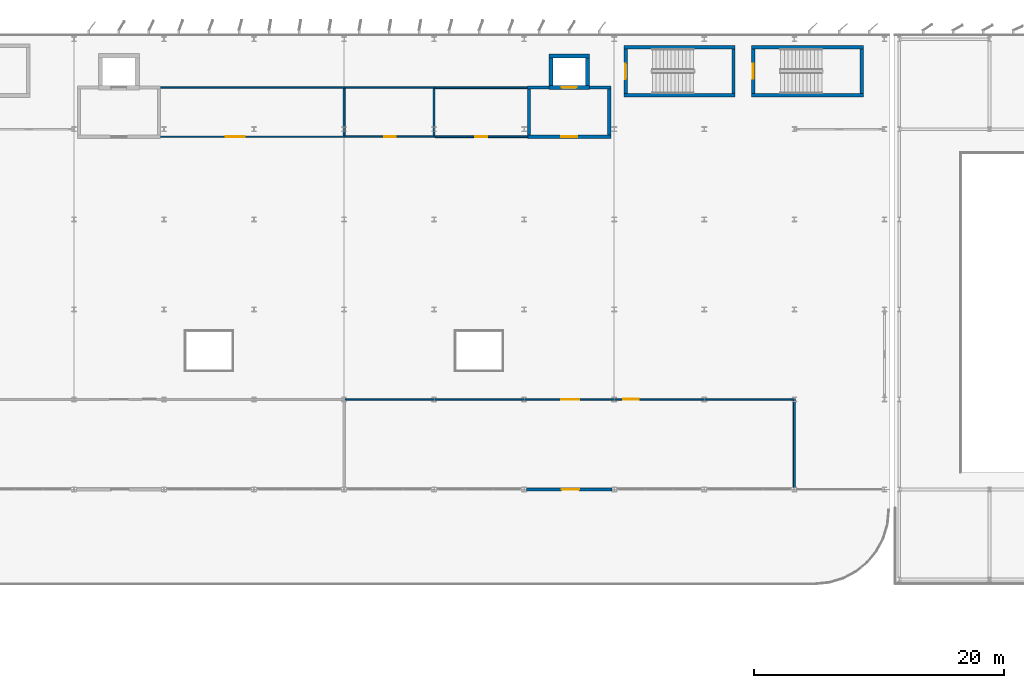
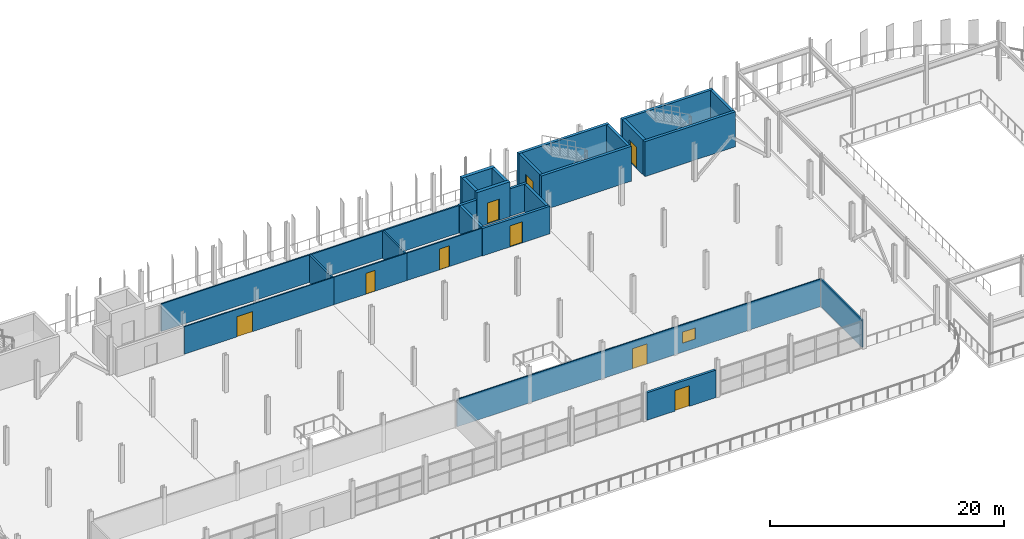
# One storey, part 28 of 40: 28 walls, 9 doors, 1 window, 10 openings.
"""IFC4 building model written with IfcOpenShell, lengths in metres."""

from ifc_helpers import new_model, si_unit, direction, frame, frame_2d, origin, place, context, subcontext, project, spatial, rectangle, extrude, material, layer, layer_set, type_object, element, fill, save


model = new_model("IFC4")

# Units and contexts
model_context = context("Model", 3, precision=1e-05, world=origin(), true_north=direction((0.0, 1.0)))
body_context = subcontext(model_context, "Body", "Model", "MODEL_VIEW")
ifc_project = project(units=[si_unit("LENGTHUNIT", "METRE"), si_unit("AREAUNIT", "SQUARE_METRE"), si_unit("VOLUMEUNIT", "CUBIC_METRE"), si_unit("PLANEANGLEUNIT", "RADIAN"), si_unit("MASSUNIT", "GRAM", prefix="KILO")], contexts=[model_context])

# Site, building, storey
site_placement = place(None, origin())
site = spatial("IfcSite", under=ifc_project, at=site_placement, CompositionType="ELEMENT")
building_placement = place(site_placement, origin())
building = spatial("IfcBuilding", under=site, at=building_placement, Name="Vaelcorin Mobility Hub", CompositionType="ELEMENT")
storey_placement = place(building_placement, frame((0.0, 0.0, 17.10009765625)))
storey = spatial("IfcBuildingStorey", under=building, at=storey_placement, Name="L04", CompositionType="ELEMENT", Elevation=17.10009765625)

# Walls
ifc_material_1 = material(Name="Reinforced concrete f'c 45 MPa", Category="concrete")
ifc_layer_1 = layer(ifc_material_1, 0.27490234375)
ifc_layer_set_1 = layer_set([ifc_layer_1], Name="Reinforced concrete f'c 45 MPa")
wall_type_1 = type_object("IfcWallType", Name="WL-CORE-275", PredefinedType="SOLIDWALL", material=ifc_layer_set_1)
for number, where, z_axis, x_axis, name in (
    (1, (110.47509765625, 115.511962890625, 0.0), (0.0, 0.0, 1.0), (-1.0, 0.0, 0.0), "ST4 Fire Core Wall L04 South"),
    (2, (101.574951171875, 119.347900390625, 0.0), (0.0, 0.0, 1.0), (1.0, 0.0, 0.0), "ST4 Fire Core Wall L04 North"),
):
    element("IfcWall", number, at=place(storey_placement, frame(where, z_axis=z_axis, x_axis=x_axis)), inside=storey, type_object=wall_type_1, Name=name, PredefinedType="SOLIDWALL", context=body_context, shape_type="SweptSolid", body=[
        extrude(rectangle(XDim=8.900146484375, YDim=0.27490234375, at=frame_2d((4.4501953125, 0.0))), origin(), (0.0, 0.0, 1.0), 3.639892578125),
    ])

# Wall, opening, door
wall_1_placement = place(storey_placement, frame((101.7119140625, 115.64990234375, 0.0), z_axis=(0.0, 0.0, 1.0), x_axis=(0.0, 1.0, 0.0)))
wall_1 = element("IfcWall", 3, at=wall_1_placement, inside=storey, type_object=wall_type_1, Name="ST4 Fire Core Wall L04 West", PredefinedType="SOLIDWALL", context=body_context, shape_type="SweptSolid", body=[
    extrude(rectangle(XDim=3.56005859375, YDim=0.27490234375, at=frame_2d((1.780029296875, 0.0))), origin(), (0.0, 0.0, 1.0), 3.639892578125),
])
opening_1_placement = place(wall_1_placement, frame((1.155029296875, 0.0, 0.0)))
opening_1 = element("IfcOpeningElement", 4, at=opening_1_placement, cuts=wall_1, Name="Opening SD02", PredefinedType="OPENING", context=body_context, shape_type="SweptSolid", body=[
    extrude(rectangle(XDim=1.25, YDim=2.199951171875, at=frame_2d((0.625, 1.10009765625))), frame((0.0, 0.1474609375, 0.0), z_axis=(0.0, -1.0, 0.0), x_axis=(1.0, 0.0, 0.0)), (0.0, 0.0, 1.0), 0.294921875),
])
ifc_material_2 = material(Name="Hollow-metal insulated steel fire door", Category="steel")
door_type_1 = type_object("IfcDoorType", Name="DR-STAIR-FF", OperationType="NOTDEFINED", PredefinedType="DOOR", material=ifc_material_2)
door_1_placement = place(opening_1_placement, origin())
door_1 = element("IfcDoor", 5, at=door_1_placement, inside=storey, type_object=door_type_1, Name="ST4 Protected Stair Door L04", OperationType="SINGLE_SWING_LEFT", OverallHeight=2.199951171875, OverallWidth=1.25, PredefinedType="DOOR", context=body_context, shape_type="SweptSolid", body=[
    extrude(rectangle(XDim=1.25, YDim=2.199951171875, at=frame_2d((0.625, 1.10009765625))), frame((0.0, 0.02490234375, 0.0), z_axis=(0.0, -1.0, 0.0), x_axis=(1.0, 0.0, 0.0)), (0.0, 0.0, 1.0), 0.050048828125),
])
fill(opening_1, door_1)

# Walls
wall_2_placement = place(storey_placement, frame((110.337890625, 119.2099609375, 0.0), z_axis=(0.0, 0.0, 1.0), x_axis=(0.0, -1.0, 0.0)))
element("IfcWall", 6, at=wall_2_placement, inside=storey, type_object=wall_type_1, Name="ST4 Fire Core Wall L04 East", PredefinedType="SOLIDWALL", context=body_context, shape_type="SweptSolid", body=[
    extrude(rectangle(XDim=3.56005859375, YDim=0.27490234375, at=frame_2d((1.780029296875, 0.0))), origin(), (0.0, 0.0, 1.0), 3.639892578125),
])
for number, where, z_axis, x_axis, name in (
    (7, (120.72509765625, 115.511962890625, 0.0), (0.0, 0.0, 1.0), (-1.0, 0.0, 0.0), "ST9 Fire Core Wall L04 South"),
    (8, (111.77490234375, 119.347900390625, 0.0), (0.0, 0.0, 1.0), (1.0, 0.0, 0.0), "ST9 Fire Core Wall L04 North"),
):
    element("IfcWall", number, at=place(storey_placement, frame(where, z_axis=z_axis, x_axis=x_axis)), inside=storey, type_object=wall_type_1, Name=name, PredefinedType="SOLIDWALL", context=body_context, shape_type="SweptSolid", body=[
        extrude(rectangle(XDim=8.9501953125, YDim=0.27490234375, at=frame_2d((4.47509765625, 0.0))), origin(), (0.0, 0.0, 1.0), 3.639892578125),
    ])

# Wall, opening, door
wall_3_placement = place(storey_placement, frame((111.912109375, 115.64990234375, 0.0), z_axis=(0.0, 0.0, 1.0), x_axis=(0.0, 1.0, 0.0)))
wall_3 = element("IfcWall", 9, at=wall_3_placement, inside=storey, type_object=wall_type_1, Name="ST9 Fire Core Wall L04 West", PredefinedType="SOLIDWALL", context=body_context, shape_type="SweptSolid", body=[
    extrude(rectangle(XDim=3.56005859375, YDim=0.27490234375, at=frame_2d((1.780029296875, 0.0))), origin(), (0.0, 0.0, 1.0), 3.639892578125),
])
opening_2_placement = place(wall_3_placement, frame((1.179931640625, 0.0, 0.0)))
opening_2 = element("IfcOpeningElement", 10, at=opening_2_placement, cuts=wall_3, Name="Opening SD01", PredefinedType="OPENING", context=body_context, shape_type="SweptSolid", body=[
    extrude(rectangle(XDim=1.199951171875, YDim=2.199951171875, at=frame_2d((0.60009765625, 1.10009765625))), frame((0.0, 0.1474609375, 0.0), z_axis=(0.0, -1.0, 0.0), x_axis=(1.0, 0.0, 0.0)), (0.0, 0.0, 1.0), 0.294921875),
])
door_type_2 = type_object("IfcDoorType", Name="DR-STAIR-90", OperationType="NOTDEFINED", PredefinedType="DOOR", material=ifc_material_2)
door_2_placement = place(opening_2_placement, origin())
door_2 = element("IfcDoor", 11, at=door_2_placement, inside=storey, type_object=door_type_2, Name="ST9 Protected Stair Door L04", OperationType="SINGLE_SWING_LEFT", OverallHeight=2.199951171875, OverallWidth=1.199951171875, PredefinedType="DOOR", context=body_context, shape_type="SweptSolid", body=[
    extrude(rectangle(XDim=1.199951171875, YDim=2.199951171875, at=frame_2d((0.60009765625, 1.10009765625))), frame((0.0, 0.02490234375, 0.0), z_axis=(0.0, -1.0, 0.0), x_axis=(1.0, 0.0, 0.0)), (0.0, 0.0, 1.0), 0.050048828125),
])
fill(opening_2, door_2)

# Wall
wall_4_placement = place(storey_placement, frame((120.587890625, 119.2099609375, 0.0), z_axis=(0.0, 0.0, 1.0), x_axis=(0.0, -1.0, 0.0)))
element("IfcWall", 12, at=wall_4_placement, inside=storey, type_object=wall_type_1, Name="ST9 Fire Core Wall L04 East", PredefinedType="SOLIDWALL", context=body_context, shape_type="SweptSolid", body=[
    extrude(rectangle(XDim=3.56005859375, YDim=0.27490234375, at=frame_2d((1.780029296875, 0.0))), origin(), (0.0, 0.0, 1.0), 3.639892578125),
])

# Wall, opening, door
ifc_material_3 = material(Name="Insulated exterior precast concrete C40/50", Category="concrete")
ifc_layer_2 = layer(ifc_material_3, 0.239990234375)
ifc_layer_set_2 = layer_set([ifc_layer_2], Name="Insulated exterior precast concrete C40/50")
wall_type_2 = type_object("IfcWallType", Name="WL-EXT-240", PredefinedType="STANDARD", material=ifc_layer_set_2)
wall_5_placement = place(storey_placement, frame((100.60791015625, 84.0, 0.0), z_axis=(0.0, 0.0, 1.0), x_axis=(-1.0, 0.0, 0.0)))
wall_5 = element("IfcWall", 13, at=wall_5_placement, inside=storey, type_object=wall_type_2, Name="L04 Exterior Wall V4-EW-L04-S-09", PredefinedType="STANDARD", context=body_context, shape_type="SweptSolid", body=[
    extrude(rectangle(XDim=6.81591796875, YDim=0.239990234375, at=frame_2d((3.407958984375, 0.0))), origin(), (0.0, 0.0, 1.0), 2.867919921875),
])
opening_3_placement = place(wall_5_placement, frame((2.617919921875, 0.0, 0.0)))
opening_3 = element("IfcOpeningElement", 14, at=opening_3_placement, cuts=wall_5, Name="Opening ED04", PredefinedType="OPENING", context=body_context, shape_type="SweptSolid", body=[
    extrude(rectangle(XDim=1.39990234375, YDim=2.14990234375, at=frame_2d((0.699951171875, 1.074951171875))), frame((0.0, 0.1298828125, 0.0), z_axis=(0.0, -1.0, 0.0), x_axis=(1.0, 0.0, 0.0)), (0.0, 0.0, 1.0), 0.260009765625),
])
ifc_material_4 = material(Name="Anodised aluminium 6063-T6", Category="aluminium")
door_type_3 = type_object("IfcDoorType", Name="DR-EXT-1400X2150", OperationType="NOTDEFINED", PredefinedType="DOOR", material=ifc_material_4)
door_3_placement = place(opening_3_placement, origin())
door_3 = element("IfcDoor", 15, at=door_3_placement, inside=storey, type_object=door_type_3, Name="L04 Exterior Door DR-L04-VER-09", OperationType="SINGLE_SWING_LEFT", OverallHeight=2.14990234375, OverallWidth=1.39990234375, PredefinedType="DOOR", context=body_context, shape_type="SweptSolid", body=[
    extrude(rectangle(XDim=1.39990234375, YDim=2.14990234375, at=frame_2d((0.699951171875, 1.074951171875))), frame((0.0, 0.02490234375, 0.0), z_axis=(0.0, -1.0, 0.0), x_axis=(1.0, 0.0, 0.0)), (0.0, 0.0, 1.0), 0.050048828125),
])
fill(opening_3, door_3)

# Wall, openings, door, window
ifc_material_5 = material(Name="Fire-rated acoustic steel-stud gypsum board", Category="steel")
ifc_layer_3 = layer(ifc_material_5, 0.110107421875)
ifc_layer_set_3 = layer_set([ifc_layer_3], Name="Fire-rated acoustic steel-stud gypsum board")
wall_type_3 = type_object("IfcWallType", Name="WL-PART-110", PredefinedType="PARTITIONING", material=ifc_layer_set_3)
wall_6_placement = place(storey_placement, frame((79.281982421875, 91.199951171875, 0.0), z_axis=(0.0, 0.0, 1.0), x_axis=(1.0, 0.0, 0.0)))
wall_6 = element("IfcWall", 16, at=wall_6_placement, inside=storey, type_object=wall_type_3, Name="Veranda Terrace Cafe Partition North", PredefinedType="PARTITIONING", context=body_context, shape_type="SweptSolid", body=[
    extrude(rectangle(XDim=35.998046875, YDim=0.110107421875, at=frame_2d((17.9990234375, 0.0))), origin(), (0.0, 0.0, 1.0), 2.86279296875),
])
opening_4_placement = place(wall_6_placement, frame((17.26904296875, 0.0, 0.0)))
opening_4 = element("IfcOpeningElement", 17, at=opening_4_placement, cuts=wall_6, Name="Opening ID11", PredefinedType="OPENING", context=body_context, shape_type="SweptSolid", body=[
    extrude(rectangle(XDim=1.4599609375, YDim=2.10009765625, at=frame_2d((0.72998046875, 1.050048828125))), frame((0.0, 0.06494140625, 0.0), z_axis=(0.0, -1.0, 0.0), x_axis=(1.0, 0.0, 0.0)), (0.0, 0.0, 1.0), 0.130126953125),
])
opening_5_placement = place(wall_6_placement, frame((22.22900390625, 0.0, 0.949951171875)))
opening_5 = element("IfcOpeningElement", 18, at=opening_5_placement, cuts=wall_6, Name="Opening IW-WN06", PredefinedType="OPENING", context=body_context, shape_type="SweptSolid", body=[
    extrude(rectangle(XDim=1.25, YDim=1.14990234375, at=frame_2d((0.625, 0.574951171875))), frame((0.0, 0.06494140625, 0.0), z_axis=(0.0, -1.0, 0.0), x_axis=(1.0, 0.0, 0.0)), (0.0, 0.0, 1.0), 0.130126953125),
])
door_type_4 = type_object("IfcDoorType", Name="DR-INT-11", OperationType="NOTDEFINED", PredefinedType="DOOR", material=ifc_material_2)
door_4_placement = place(opening_4_placement, origin())
door_4 = element("IfcDoor", 19, at=door_4_placement, inside=storey, type_object=door_type_4, Name="Veranda Terrace Cafe Door", OperationType="SINGLE_SWING_LEFT", OverallHeight=2.10009765625, OverallWidth=1.4599609375, PredefinedType="DOOR", context=body_context, shape_type="SweptSolid", body=[
    extrude(rectangle(XDim=1.4599609375, YDim=2.10009765625, at=frame_2d((0.72998046875, 1.050048828125))), frame((0.0, 0.02490234375, 0.0), z_axis=(0.0, -1.0, 0.0), x_axis=(1.0, 0.0, 0.0)), (0.0, 0.0, 1.0), 0.050048828125),
])
fill(opening_4, door_4)
ifc_material_6 = material(Name="Acoustic laminated fire-rated interior glazing", Category="glass")
window_type = type_object("IfcWindowType", Name="WIN-INT-06", PartitioningType="SINGLE_PANEL", PredefinedType="WINDOW", material=ifc_material_6)
window_placement = place(opening_5_placement, origin())
window = element("IfcWindow", 20, at=window_placement, inside=storey, type_object=window_type, Name="Veranda Terrace Cafe Observation Glazing", OverallHeight=1.14990234375, OverallWidth=1.25, PartitioningType="SINGLE_PANEL", PredefinedType="WINDOW", context=body_context, shape_type="SweptSolid", body=[
    extrude(rectangle(XDim=1.25, YDim=1.14990234375, at=frame_2d((0.625, 0.574951171875))), frame((0.0, 0.030029296875, 0.0), z_axis=(0.0, -1.0, 0.0), x_axis=(1.0, 0.0, 0.0)), (0.0, 0.0, 1.0), 0.06005859375),
])
fill(opening_5, window)

# Wall, opening, door
ifc_layer_4 = layer(ifc_material_5, 0.114990234375)
ifc_layer_set_4 = layer_set([ifc_layer_4], Name="Fire-rated acoustic steel-stud gypsum board")
wall_type_4 = type_object("IfcWallType", Name="WL-PART-115", PredefinedType="PARTITIONING", material=ifc_layer_set_4)
wall_7_placement = place(storey_placement, frame((79.280029296875, 112.199951171875, 0.0), z_axis=(0.0, 0.0, 1.0), x_axis=(-1.0, 0.0, 0.0)))
wall_7 = element("IfcWall", 21, at=wall_7_placement, inside=storey, type_object=wall_type_4, Name="Parking Smoke-Extract Fan Room Partition South", PredefinedType="PARTITIONING", context=body_context, shape_type="SweptSolid", body=[
    extrude(rectangle(XDim=14.7529296875, YDim=0.114990234375, at=frame_2d((7.37646484375, 0.0))), origin(), (0.0, 0.0, 1.0), 2.86279296875),
])
opening_6_placement = place(wall_7_placement, frame((8.007080078125, 0.0, 0.0)))
opening_6 = element("IfcOpeningElement", 22, at=opening_6_placement, cuts=wall_7, Name="Opening ID12", PredefinedType="OPENING", context=body_context, shape_type="SweptSolid", body=[
    extrude(rectangle(XDim=1.5400390625, YDim=2.10009765625, at=frame_2d((0.77001953125, 1.050048828125))), frame((0.0, 0.0673828125, 0.0), z_axis=(0.0, -1.0, 0.0), x_axis=(1.0, 0.0, 0.0)), (0.0, 0.0, 1.0), 0.135009765625),
])
door_type_5 = type_object("IfcDoorType", Name="DR-INT-12", OperationType="NOTDEFINED", PredefinedType="DOOR", material=ifc_material_2)
door_5_placement = place(opening_6_placement, origin())
door_5 = element("IfcDoor", 23, at=door_5_placement, inside=storey, type_object=door_type_5, Name="Parking Smoke-Extract Fan Room Door", OperationType="SINGLE_SWING_RIGHT", OverallHeight=2.10009765625, OverallWidth=1.5400390625, PredefinedType="DOOR", context=body_context, shape_type="SweptSolid", body=[
    extrude(rectangle(XDim=1.5400390625, YDim=2.10009765625, at=frame_2d((0.77001953125, 1.050048828125))), frame((0.0, 0.02490234375, 0.0), z_axis=(0.0, -1.0, 0.0), x_axis=(1.0, 0.0, 0.0)), (0.0, 0.0, 1.0), 0.050048828125),
])
fill(opening_6, door_5)

ifc_layer_5 = layer(ifc_material_5, 0.1201171875)
ifc_layer_set_5 = layer_set([ifc_layer_5], Name="Fire-rated acoustic steel-stud gypsum board")
wall_type_5 = type_object("IfcWallType", Name="WL-PART-120", PredefinedType="PARTITIONING", material=ifc_layer_set_5)
wall_8_placement = place(storey_placement, frame((86.47998046875, 112.199951171875, 0.0), z_axis=(0.0, 0.0, 1.0), x_axis=(-1.0, 0.0, 0.0)))
wall_8 = element("IfcWall", 24, at=wall_8_placement, inside=storey, type_object=wall_type_5, Name="Public Restrooms L04 Partition South", PredefinedType="PARTITIONING", context=body_context, shape_type="SweptSolid", body=[
    extrude(rectangle(XDim=7.197998046875, YDim=0.1201171875, at=frame_2d((3.59912109375, 0.0))), origin(), (0.0, 0.0, 1.0), 2.86279296875),
])
opening_7_placement = place(wall_8_placement, frame((3.14892578125, 0.0, 0.0)))
opening_7 = element("IfcOpeningElement", 25, at=opening_7_placement, cuts=wall_8, Name="Opening ID13", PredefinedType="OPENING", context=body_context, shape_type="SweptSolid", body=[
    extrude(rectangle(XDim=0.89990234375, YDim=2.159912109375, at=frame_2d((0.449951171875, 1.080078125))), frame((0.0, 0.070068359375, 0.0), z_axis=(0.0, -1.0, 0.0), x_axis=(1.0, 0.0, 0.0)), (0.0, 0.0, 1.0), 0.14013671875),
])
ifc_material_7 = material(Name="Solid-core hardwood fire door assembly", Category="wood")
door_type_6 = type_object("IfcDoorType", Name="DR-INT-13", OperationType="NOTDEFINED", PredefinedType="DOOR", material=ifc_material_7)
door_6_placement = place(opening_7_placement, origin())
door_6 = element("IfcDoor", 26, at=door_6_placement, inside=storey, type_object=door_type_6, Name="Public Restrooms L04 Door", OperationType="SINGLE_SWING_LEFT", OverallHeight=2.159912109375, OverallWidth=0.89990234375, PredefinedType="DOOR", context=body_context, shape_type="SweptSolid", body=[
    extrude(rectangle(XDim=0.89990234375, YDim=2.159912109375, at=frame_2d((0.449951171875, 1.080078125))), frame((0.0, 0.02490234375, 0.0), z_axis=(0.0, -1.0, 0.0), x_axis=(1.0, 0.0, 0.0)), (0.0, 0.0, 1.0), 0.050048828125),
])
fill(opening_7, door_6)

ifc_layer_6 = layer(ifc_material_5, 0.125)
ifc_layer_set_6 = layer_set([ifc_layer_6], Name="Fire-rated acoustic steel-stud gypsum board")
wall_type_6 = type_object("IfcWallType", Name="WL-PART-125", PredefinedType="PARTITIONING", material=ifc_layer_set_6)
wall_9_placement = place(storey_placement, frame((93.873046875, 112.199951171875, 0.0), z_axis=(0.0, 0.0, 1.0), x_axis=(-1.0, 0.0, 0.0)))
wall_9 = element("IfcWall", 27, at=wall_9_placement, inside=storey, type_object=wall_type_6, Name="Accessible WC L04 Partition South", PredefinedType="PARTITIONING", context=body_context, shape_type="SweptSolid", body=[
    extrude(rectangle(XDim=7.39111328125, YDim=0.125, at=frame_2d((3.695556640625, 0.0))), origin(), (0.0, 0.0, 1.0), 2.86279296875),
])
opening_8_placement = place(wall_9_placement, frame((3.216064453125, 0.0, 0.0)))
opening_8 = element("IfcOpeningElement", 28, at=opening_8_placement, cuts=wall_9, Name="Opening ID14", PredefinedType="OPENING", context=body_context, shape_type="SweptSolid", body=[
    extrude(rectangle(XDim=0.9599609375, YDim=2.159912109375, at=frame_2d((0.47998046875, 1.080078125))), frame((0.0, 0.072509765625, 0.0), z_axis=(0.0, -1.0, 0.0), x_axis=(1.0, 0.0, 0.0)), (0.0, 0.0, 1.0), 0.14501953125),
])
door_type_7 = type_object("IfcDoorType", Name="DR-INT-14", OperationType="NOTDEFINED", PredefinedType="DOOR", material=ifc_material_7)
door_7_placement = place(opening_8_placement, origin())
door_7 = element("IfcDoor", 29, at=door_7_placement, inside=storey, type_object=door_type_7, Name="Accessible WC L04 Door", OperationType="SINGLE_SWING_RIGHT", OverallHeight=2.159912109375, OverallWidth=0.9599609375, PredefinedType="DOOR", context=body_context, shape_type="SweptSolid", body=[
    extrude(rectangle(XDim=0.9599609375, YDim=2.159912109375, at=frame_2d((0.47998046875, 1.080078125))), frame((0.0, 0.02490234375, 0.0), z_axis=(0.0, -1.0, 0.0), x_axis=(1.0, 0.0, 0.0)), (0.0, 0.0, 1.0), 0.050048828125),
])
fill(opening_8, door_7)

# Walls
ifc_layer_7 = layer(ifc_material_5, 0.1298828125)
ifc_layer_set_7 = layer_set([ifc_layer_7], Name="Fire-rated acoustic steel-stud gypsum board")
wall_type_7 = type_object("IfcWallType", Name="WL-PART-130", PredefinedType="PARTITIONING", material=ifc_layer_set_7)
wall_10_placement = place(storey_placement, frame((64.527099609375, 116.125, 0.0), z_axis=(0.0, 0.0, 1.0), x_axis=(1.0, 0.0, 0.0)))
element("IfcWall", 30, at=wall_10_placement, inside=storey, type_object=wall_type_7, Name="Parking Smoke-Extract Fan Room Partition North", PredefinedType="PARTITIONING", context=body_context, shape_type="SweptSolid", body=[
    extrude(rectangle(XDim=14.7529296875, YDim=0.1298828125, at=frame_2d((7.37646484375, 0.0))), origin(), (0.0, 0.0, 1.0), 2.86279296875),
])
ifc_layer_8 = layer(ifc_material_5, 0.135009765625)
ifc_layer_set_8 = layer_set([ifc_layer_8], Name="Fire-rated acoustic steel-stud gypsum board")
wall_type_8 = type_object("IfcWallType", Name="WL-PART-135", PredefinedType="PARTITIONING", material=ifc_layer_set_8)
wall_11_placement = place(storey_placement, frame((79.281982421875, 116.125, 0.0), z_axis=(0.0, 0.0, 1.0), x_axis=(1.0, 0.0, 0.0)))
element("IfcWall", 31, at=wall_11_placement, inside=storey, type_object=wall_type_8, Name="Public Restrooms L04 Partition North", PredefinedType="PARTITIONING", context=body_context, shape_type="SweptSolid", body=[
    extrude(rectangle(XDim=7.197998046875, YDim=0.135009765625, at=frame_2d((3.59912109375, 0.0))), origin(), (0.0, 0.0, 1.0), 2.86279296875),
])
ifc_layer_9 = layer(ifc_material_5, 0.139892578125)
ifc_layer_set_9 = layer_set([ifc_layer_9], Name="Fire-rated acoustic steel-stud gypsum board")
wall_type_9 = type_object("IfcWallType", Name="WL-PART-140", PredefinedType="PARTITIONING", material=ifc_layer_set_9)
wall_12_placement = place(storey_placement, frame((86.48193359375, 116.125, 0.0), z_axis=(0.0, 0.0, 1.0), x_axis=(1.0, 0.0, 0.0)))
element("IfcWall", 32, at=wall_12_placement, inside=storey, type_object=wall_type_9, Name="Accessible WC L04 Partition North", PredefinedType="PARTITIONING", context=body_context, shape_type="SweptSolid", body=[
    extrude(rectangle(XDim=7.39111328125, YDim=0.139892578125, at=frame_2d((3.695556640625, 0.0))), origin(), (0.0, 0.0, 1.0), 2.86279296875),
])
ifc_layer_10 = layer(ifc_material_5, 0.155029296875)
ifc_layer_set_10 = layer_set([ifc_layer_10], Name="Fire-rated acoustic steel-stud gypsum board")
wall_type_10 = type_object("IfcWallType", Name="WL-PART-155", PredefinedType="PARTITIONING", material=ifc_layer_set_10)
wall_13_placement = place(storey_placement, frame((115.199951171875, 91.14306640625, 0.0), z_axis=(0.0, 0.0, 1.0), x_axis=(0.0, -1.0, 0.0)))
element("IfcWall", 33, at=wall_13_placement, inside=storey, type_object=wall_type_10, Name="Veranda Terrace Cafe Partition East", PredefinedType="PARTITIONING", context=body_context, shape_type="SweptSolid", body=[
    extrude(rectangle(XDim=7.02099609375, YDim=0.155029296875, at=frame_2d((3.510498046875, 0.0))), origin(), (0.0, 0.0, 1.0), 2.86279296875),
])
ifc_layer_11 = layer(ifc_material_5, 0.159912109375)
ifc_layer_set_11 = layer_set([ifc_layer_11], Name="Fire-rated acoustic steel-stud gypsum board")
wall_type_11 = type_object("IfcWallType", Name="WL-PART-160", PredefinedType="PARTITIONING", material=ifc_layer_set_11)
wall_14_placement = place(storey_placement, frame((79.199951171875, 116.055908203125, 0.0), z_axis=(0.0, 0.0, 1.0), x_axis=(0.0, -1.0, 0.0)))
element("IfcWall", 34, at=wall_14_placement, inside=storey, type_object=wall_type_11, Name="Parking Smoke-Extract Fan Room Partition East", PredefinedType="PARTITIONING", context=body_context, shape_type="SweptSolid", body=[
    extrude(rectangle(XDim=3.7939453125, YDim=0.159912109375, at=frame_2d((1.89697265625, 0.0))), origin(), (0.0, 0.0, 1.0), 2.86279296875),
])
ifc_layer_12 = layer(ifc_material_5, 0.1650390625)
ifc_layer_set_12 = layer_set([ifc_layer_12], Name="Fire-rated acoustic steel-stud gypsum board")
wall_type_12 = type_object("IfcWallType", Name="WL-PART-165", PredefinedType="PARTITIONING", material=ifc_layer_set_12)
wall_15_placement = place(storey_placement, frame((86.39990234375, 116.052978515625, 0.0), z_axis=(0.0, 0.0, 1.0), x_axis=(0.0, -1.0, 0.0)))
element("IfcWall", 35, at=wall_15_placement, inside=storey, type_object=wall_type_12, Name="Public Restrooms L04 Partition East", PredefinedType="PARTITIONING", context=body_context, shape_type="SweptSolid", body=[
    extrude(rectangle(XDim=3.7890625, YDim=0.1650390625, at=frame_2d((1.89453125, 0.0))), origin(), (0.0, 0.0, 1.0), 2.86279296875),
])

# Wall, opening, door
ifc_material_8 = material(Name="Reinforced acoustic concrete masonry C30/37", Category="masonry")
ifc_layer_13 = layer(ifc_material_8, 0.25)
ifc_layer_set_13 = layer_set([ifc_layer_13], Name="Reinforced acoustic concrete masonry C30/37")
wall_type_13 = type_object("IfcWallType", Name="WL-PART-250", PredefinedType="PARTITIONING", material=ifc_layer_set_13)
wall_16_placement = place(storey_placement, frame((100.52490234375, 112.199951171875, 0.0), z_axis=(0.0, 0.0, 1.0), x_axis=(-1.0, 0.0, 0.0)))
wall_16 = element("IfcWall", 36, at=wall_16_placement, inside=storey, type_object=wall_type_13, Name="Firefighting Lobby East L04 Partition South", PredefinedType="PARTITIONING", context=body_context, shape_type="SweptSolid", body=[
    extrude(rectangle(XDim=6.64990234375, YDim=0.25, at=frame_2d((3.324951171875, 0.0))), origin(), (0.0, 0.0, 1.0), 2.86279296875),
])
opening_9_placement = place(wall_16_placement, frame((2.699951171875, 0.0, 0.0)))
opening_9 = element("IfcOpeningElement", 37, at=opening_9_placement, cuts=wall_16, Name="Opening SD02", PredefinedType="OPENING", context=body_context, shape_type="SweptSolid", body=[
    extrude(rectangle(XDim=1.25, YDim=2.199951171875, at=frame_2d((0.625, 1.10009765625))), frame((0.0, 0.135009765625, 0.0), z_axis=(0.0, -1.0, 0.0), x_axis=(1.0, 0.0, 0.0)), (0.0, 0.0, 1.0), 0.27001953125),
])
door_8_placement = place(opening_9_placement, origin())
door_8 = element("IfcDoor", 38, at=door_8_placement, inside=storey, type_object=door_type_1, Name="Firefighting Lobby East L04 Door", OperationType="SINGLE_SWING_RIGHT", OverallHeight=2.199951171875, OverallWidth=1.25, PredefinedType="DOOR", context=body_context, shape_type="SweptSolid", body=[
    extrude(rectangle(XDim=1.25, YDim=2.199951171875, at=frame_2d((0.625, 1.10009765625))), frame((0.0, 0.02490234375, 0.0), z_axis=(0.0, -1.0, 0.0), x_axis=(1.0, 0.0, 0.0)), (0.0, 0.0, 1.0), 0.050048828125),
])
fill(opening_9, door_8)

# Walls
for number, where, z_axis, x_axis, name in (
    (39, (93.875, 116.137939453125, 0.0), (0.0, 0.0, 1.0), (1.0, 0.0, 0.0), "Firefighting Lobby East L04 Return Wall NW"),
    (40, (98.826904296875, 116.137939453125, 0.0), (0.0, 0.0, 1.0), (1.0, 0.0, 0.0), "Firefighting Lobby East L04 Return Wall NE"),
):
    element("IfcWall", number, at=place(storey_placement, frame(where, z_axis=z_axis, x_axis=x_axis)), inside=storey, type_object=wall_type_13, Name=name, PredefinedType="PARTITIONING", context=body_context, shape_type="SweptSolid", body=[
        extrude(rectangle(XDim=1.697998046875, YDim=0.25, at=frame_2d((0.84912109375, 0.0))), origin(), (0.0, 0.0, 1.0), 2.86279296875),
    ])
for number, where, z_axis, x_axis, name in (
    (41, (94.0, 112.326904296875, 0.0), (0.0, 0.0, 1.0), (0.0, 1.0, 0.0), "Firefighting Lobby East L04 Partition West"),
    (42, (100.39990234375, 116.010986328125, 0.0), (0.0, 0.0, 1.0), (0.0, -1.0, 0.0), "Firefighting Lobby East L04 Partition East"),
):
    element("IfcWall", number, at=place(storey_placement, frame(where, z_axis=z_axis, x_axis=x_axis)), inside=storey, type_object=wall_type_13, Name=name, PredefinedType="PARTITIONING", context=body_context, shape_type="SweptSolid", body=[
        extrude(rectangle(XDim=3.68408203125, YDim=0.25, at=frame_2d((1.842041015625, 0.0))), origin(), (0.0, 0.0, 1.0), 2.86279296875),
    ])

# Wall, opening, door
ifc_layer_14 = layer(ifc_material_1, 0.324951171875)
ifc_layer_set_14 = layer_set([ifc_layer_14], Name="Reinforced concrete f'c 45 MPa")
wall_type_14 = type_object("IfcWallType", Name="WL-SHEAR-325", PredefinedType="SHEAR", material=ifc_layer_set_14)
wall_17_placement = place(storey_placement, frame((98.824951171875, 116.137939453125, 0.0), z_axis=(0.0, 0.0, 1.0), x_axis=(-1.0, 0.0, 0.0)))
wall_17 = element("IfcWall", 43, at=wall_17_placement, inside=storey, type_object=wall_type_14, Name="LF2 Lift Shaft Shear Wall L04 South", PredefinedType="SHEAR", context=body_context, shape_type="SweptSolid", body=[
    extrude(rectangle(XDim=3.25, YDim=0.324951171875, at=frame_2d((1.625, 0.0))), origin(), (0.0, 0.0, 1.0), 3.639892578125),
])
opening_10_placement = place(wall_17_placement, frame((1.02490234375, 0.0, 0.0)))
opening_10 = element("IfcOpeningElement", 44, at=opening_10_placement, cuts=wall_17, Name="Opening LD1", PredefinedType="OPENING", context=body_context, shape_type="SweptSolid", body=[
    extrude(rectangle(XDim=1.199951171875, YDim=2.199951171875, at=frame_2d((0.60009765625, 1.10009765625))), frame((0.0, 0.17236328125, 0.0), z_axis=(0.0, -1.0, 0.0), x_axis=(1.0, 0.0, 0.0)), (0.0, 0.0, 1.0), 0.344970703125),
])
ifc_material_9 = material(Name="Brushed stainless steel 316L", Category="steel")
door_type_8 = type_object("IfcDoorType", Name="DR-LIFT-LD1", OperationType="NOTDEFINED", PredefinedType="DOOR", material=ifc_material_9)
door_9_placement = place(opening_10_placement, origin())
door_9 = element("IfcDoor", 45, at=door_9_placement, inside=storey, type_object=door_type_8, Name="LF2 Lift Landing Sliding Door L04", OperationType="DOUBLE_DOOR_SLIDING", OverallHeight=2.199951171875, OverallWidth=1.199951171875, PredefinedType="DOOR", context=body_context, shape_type="SweptSolid", body=[
    extrude(rectangle(XDim=1.199951171875, YDim=2.199951171875, at=frame_2d((0.60009765625, 1.10009765625))), frame((0.0, 0.02490234375, 0.0), z_axis=(0.0, -1.0, 0.0), x_axis=(1.0, 0.0, 0.0)), (0.0, 0.0, 1.0), 0.050048828125),
])
fill(opening_10, door_9)

# Walls
wall_18_placement = place(storey_placement, frame((95.574951171875, 118.662109375, 0.0), z_axis=(0.0, 0.0, 1.0), x_axis=(1.0, 0.0, 0.0)))
element("IfcWall", 46, at=wall_18_placement, inside=storey, type_object=wall_type_14, Name="LF2 Lift Shaft Shear Wall L04 North", PredefinedType="SHEAR", context=body_context, shape_type="SweptSolid", body=[
    extrude(rectangle(XDim=3.25, YDim=0.324951171875, at=frame_2d((1.625, 0.0))), origin(), (0.0, 0.0, 1.0), 3.639892578125),
])
for number, where, z_axis, x_axis, name in (
    (47, (95.738037109375, 116.300048828125, 0.0), (0.0, 0.0, 1.0), (0.0, 1.0, 0.0), "LF2 Lift Shaft Shear Wall L04 West"),
    (48, (98.662109375, 118.5, 0.0), (0.0, 0.0, 1.0), (0.0, -1.0, 0.0), "LF2 Lift Shaft Shear Wall L04 East"),
):
    element("IfcWall", number, at=place(storey_placement, frame(where, z_axis=z_axis, x_axis=x_axis)), inside=storey, type_object=wall_type_14, Name=name, PredefinedType="SHEAR", context=body_context, shape_type="SweptSolid", body=[
        extrude(rectangle(XDim=2.199951171875, YDim=0.324951171875, at=frame_2d((1.10009765625, 0.0))), origin(), (0.0, 0.0, 1.0), 3.639892578125),
    ])

save(model, "model.ifc")
